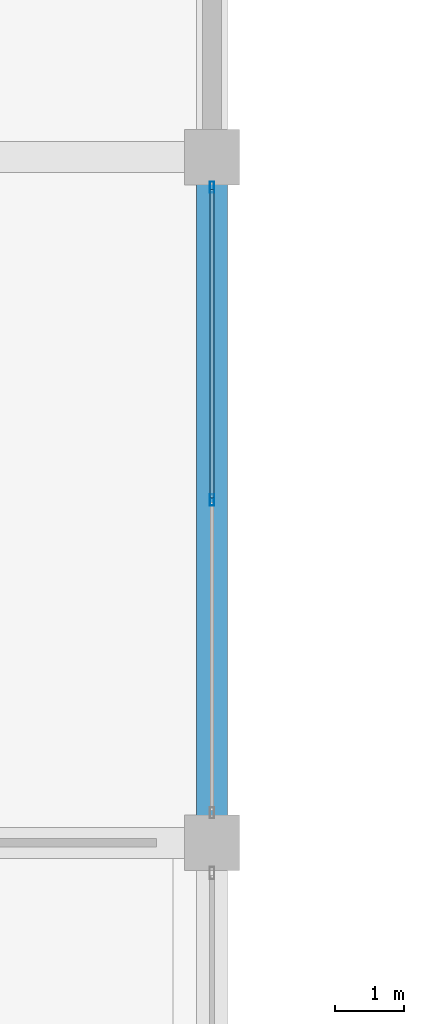
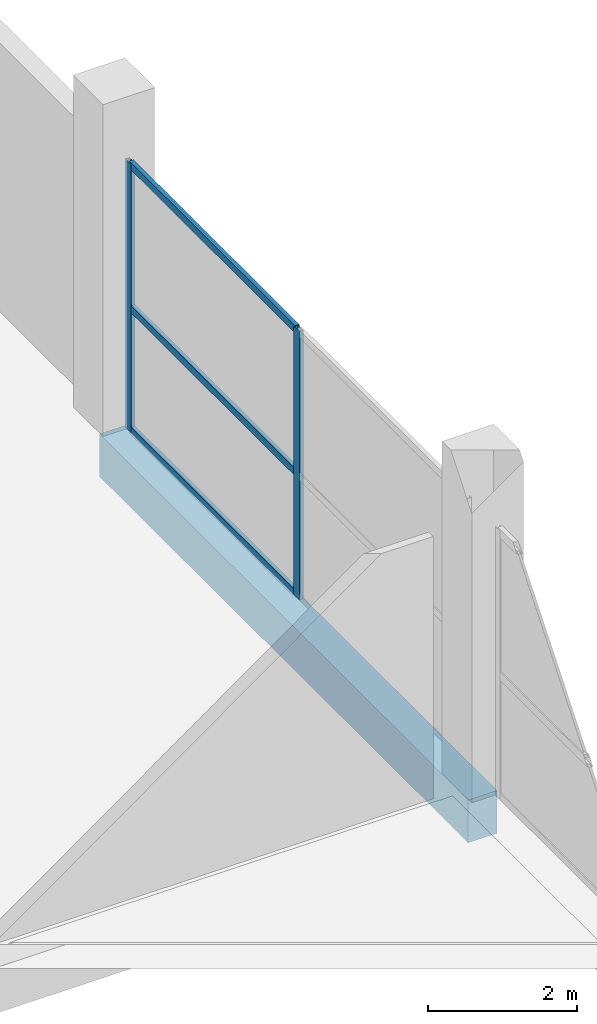
# One storey, part 32 of 74: 5 members, 1 beam, 1 element without a shape of its own.
"""IFC4 building model written with IfcOpenShell, lengths in metres."""

import ifcopenshell
import ifcopenshell.guid

model = None  # the IFC model being written
_history = None  # IfcOwnerHistory: only IFC2X3 demands one
_inside = {}  # id of a spatial element -> (the spatial element, [elements in it])
_under = {}  # id of a project, library or spatial element -> (it, [spatial elements below it])
_declared = {}  # id of a project -> (the project, [libraries it declares])
_typed = {}  # id of a type object -> (the type object, [elements of that type])
_made_of = {}  # id of a material, layer set ... -> (it, [elements and type objects made of it])


def new_model(schema):
    """Start an empty IFC model of exactly this schema.

    Asked for "IFC4X3", IfcOpenShell would pick the latest addendum, in which some entities
    have other attributes; the version numbers below select the first issue.
    IFC2X3 requires an IfcOwnerHistory on every rooted entity: one is made here for all.
    """
    global model, _history
    if schema == "IFC4X3":
        model = ifcopenshell.file(schema_version=(4, 3, 0, 0))
    else:
        model = ifcopenshell.file(schema=schema)
    _inside.clear()
    _under.clear()
    _declared.clear()
    _typed.clear()
    _made_of.clear()
    _history = None
    if model.schema == "IFC2X3":
        org = make("IfcOrganization", Name="unknown")
        user = make(
            "IfcPersonAndOrganization",
            ThePerson=make("IfcPerson", FamilyName="unknown"),
            TheOrganization=org,
        )
        app = make(
            "IfcApplication",
            ApplicationDeveloper=org,
            Version="unknown",
            ApplicationFullName="unknown",
            ApplicationIdentifier="unknown",
        )
        _history = make(
            "IfcOwnerHistory",
            OwningUser=user,
            OwningApplication=app,
            ChangeAction="ADDED",
            CreationDate=0,
        )
    return model


def make(cls, **values):
    """One entity of the class cls with the attributes given. An attribute that is None is left unset."""
    return model.create_entity(
        cls, **{name: value for name, value in values.items() if value is not None}
    )


def rooted(cls, **values):
    """An entity with a GlobalId (a new one), such as an element, a storey or a relation."""
    return make(cls, GlobalId=ifcopenshell.guid.new(), OwnerHistory=_history, **values)


def si_unit(unit_type, name, prefix=None):
    """IfcSIUnit, for example si_unit("LENGTHUNIT", "METRE", prefix="MILLI")."""
    return make("IfcSIUnit", UnitType=unit_type, Prefix=prefix, Name=name)


def assignment(units):
    """IfcUnitAssignment: the units of a project."""
    return None if units is None else make("IfcUnitAssignment", Units=units)


def point(xyz):
    """IfcCartesianPoint."""
    return None if xyz is None else make("IfcCartesianPoint", Coordinates=xyz)


def direction(xyz):
    """IfcDirection."""
    return None if xyz is None else make("IfcDirection", DirectionRatios=xyz)


def frame(location, z_axis=None, x_axis=None):
    """IfcAxis2Placement3D, a coordinate frame: its origin and axes. An axis left out is left unset."""
    return make(
        "IfcAxis2Placement3D",
        Location=point(location),
        Axis=direction(z_axis),
        RefDirection=direction(x_axis),
    )


def frame_2d(location, x_axis=None):
    """IfcAxis2Placement2D, a coordinate frame in the plane: its origin and x axis."""
    return make(
        "IfcAxis2Placement2D", Location=point(location), RefDirection=direction(x_axis)
    )


def origin():
    """The frame at (0, 0, 0) with its axes left unset."""
    return frame((0.0, 0.0, 0.0))


def origin_2d():
    """The frame at (0, 0) in the plane with its x axis left unset."""
    return frame_2d((0.0, 0.0))


def place(relative_to, where):
    """IfcLocalPlacement: puts the frame where relative to a parent placement (None: the world)."""
    return make(
        "IfcLocalPlacement", PlacementRelTo=relative_to, RelativePlacement=where
    )


def context(
    kind, dimensions, precision=None, world=None, true_north=None, identifier=None
):
    """IfcGeometricRepresentationContext, for example the 3D "Model" context."""
    return make(
        "IfcGeometricRepresentationContext",
        ContextIdentifier=identifier,
        ContextType=kind,
        CoordinateSpaceDimension=dimensions,
        Precision=precision,
        WorldCoordinateSystem=world,
        TrueNorth=true_north,
    )


def subcontext(parent, identifier, kind, view, scale=None):
    """IfcGeometricRepresentationSubContext, for example "Body" below "Model"."""
    return make(
        "IfcGeometricRepresentationSubContext",
        ContextIdentifier=identifier,
        ContextType=kind,
        ParentContext=parent,
        TargetScale=scale,
        TargetView=view,
    )


def project(units=None, contexts=None):
    """IfcProject with its units and contexts."""
    return rooted(
        "IfcProject",
        Name="project",
        RepresentationContexts=contexts,
        UnitsInContext=assignment(units),
    )


def spatial(cls, under=None, at=None, **own):
    """A site, building, storey or space (cls), placed at a placement, below another one or the project."""
    s = rooted(cls, ObjectPlacement=at, **own)
    if under is not None:
        _under.setdefault(under.id(), (under, []))[1].append(s)
    return s


def profile(cls, at=None, kind="AREA", **sizes):
    """A parametric profile (cls). Its sizes go by their IFC names, for example OverallWidth=200.0."""
    return make(cls, ProfileType=kind, Position=at, **sizes)


def rectangle(**sizes):
    """IfcRectangleProfileDef."""
    return profile("IfcRectangleProfileDef", **sizes)


def hollow_rectangle(**sizes):
    """IfcRectangleHollowProfileDef."""
    return profile("IfcRectangleHollowProfileDef", **sizes)


def extrude(swept, where, along, depth):
    """IfcExtrudedAreaSolid: the profile swept, set in the frame where, extruded along a direction by depth."""
    return make(
        "IfcExtrudedAreaSolid",
        SweptArea=swept,
        Position=where,
        ExtrudedDirection=direction(along),
        Depth=depth,
    )


def shape(context_of_items, identifier, shape_type, items):
    """IfcShapeRepresentation: the items that make up one representation, for example the "Body"."""
    return make(
        "IfcShapeRepresentation",
        ContextOfItems=context_of_items,
        RepresentationIdentifier=identifier,
        RepresentationType=shape_type,
        Items=items,
    )


def material(Name=None, Category=None):
    """IfcMaterial."""
    return make("IfcMaterial", Name=Name, Category=Category)


def layer(
    of_material, thickness, ventilated=None, Name=None, Category=None, Priority=None
):
    """IfcMaterialLayer: one layer of a wall or slab, of a material (None: an air gap)."""
    return make(
        "IfcMaterialLayer",
        Material=of_material,
        LayerThickness=thickness,
        IsVentilated=ventilated,
        Name=Name,
        Category=Category,
        Priority=Priority,
    )


def layer_set(layers, Name=None):
    """IfcMaterialLayerSet."""
    return make("IfcMaterialLayerSet", MaterialLayers=layers, LayerSetName=Name)


def material_profile(
    of_material, cross_section, Name=None, Category=None, Priority=None
):
    """IfcMaterialProfile: a cross section and its material."""
    return make(
        "IfcMaterialProfile",
        Name=Name,
        Material=of_material,
        Profile=cross_section,
        Priority=Priority,
        Category=Category,
    )


def profile_set(profiles, Name=None, composite=None):
    """IfcMaterialProfileSet."""
    return make(
        "IfcMaterialProfileSet",
        Name=Name,
        MaterialProfiles=profiles,
        CompositeProfile=composite,
    )


def made_of(thing, what):
    """Note that an element or type object is made of a material, layer set ...; save() writes the relation."""
    if what is not None:
        _made_of.setdefault(what.id(), (what, []))[1].append(thing)
    return thing


def type_object(cls, material=None, **own):
    """A type object (cls), such as IfcWallType, which elements share."""
    return made_of(rooted(cls, **own), material)


def element(
    cls,
    number,
    at=None,
    inside=None,
    cuts=None,
    type_object=None,
    material=None,
    context=None,
    identifier="Body",
    shape_type=None,
    held_by="IfcProductDefinitionShape",
    body=None,
    shapes=None,
    **own,
):
    """One element of the class cls, such as IfcWall. Its Tag is "e" and its number.

    at: its placement. inside: the storey or other place that contains it. cuts: it is an
    opening in that element (IfcRelVoidsElement). A single representation is given by context,
    identifier, shape_type and body (its items); several are given by shapes. held_by: the class
    of the entity that holds the representations. save() writes the other relations.
    """
    e = rooted(cls, Tag="e%d" % number, ObjectPlacement=at, **own)
    if body is not None:
        shapes = [shape(context, identifier, shape_type, body)]
    if shapes is not None:
        e.Representation = make(held_by, Representations=shapes)
    if inside is not None:
        _inside.setdefault(inside.id(), (inside, []))[1].append(e)
    if cuts is not None:
        rooted(
            "IfcRelVoidsElement", RelatingBuildingElement=cuts, RelatedOpeningElement=e
        )
    if type_object is not None:
        _typed.setdefault(type_object.id(), (type_object, []))[1].append(e)
    return made_of(e, material)


def aggregate(whole, parts):
    """IfcRelAggregates: a whole, such as a stair, and the parts it consists of."""
    return rooted("IfcRelAggregates", RelatingObject=whole, RelatedObjects=parts)


def save(model, path):
    """Write the relations noted so far, then the file.

    IfcRelAggregates (storeys below a building ...), IfcRelContainedInSpatialStructure (elements
    in a storey), IfcRelDefinesByType, IfcRelAssociatesMaterial and IfcRelDeclares: one each for
    every whole, place, type object, material and project.
    """
    for whole, parts in _under.values():
        aggregate(whole, parts)
    for where, things in _inside.values():
        rooted(
            "IfcRelContainedInSpatialStructure",
            RelatedElements=things,
            RelatingStructure=where,
        )
    for kind, things in _typed.values():
        rooted("IfcRelDefinesByType", RelatedObjects=things, RelatingType=kind)
    for what, things in _made_of.values():
        rooted("IfcRelAssociatesMaterial", RelatedObjects=things, RelatingMaterial=what)
    for by, libraries in _declared.values():
        rooted("IfcRelDeclares", RelatingContext=by, RelatedDefinitions=libraries)
    model.write(path)


model = new_model("IFC4")

# Units and contexts
model_context = context("Model", 3, precision=1e-05, world=origin(), true_north=direction((0.0, 1.0)))
body_context = subcontext(model_context, "Body", "Model", "MODEL_VIEW")
ifc_project = project(units=[si_unit("LENGTHUNIT", "METRE"), si_unit("AREAUNIT", "SQUARE_METRE"), si_unit("VOLUMEUNIT", "CUBIC_METRE"), si_unit("PLANEANGLEUNIT", "RADIAN"), si_unit("MASSUNIT", "GRAM", prefix="KILO")], contexts=[model_context])

# Site, building, storey
site_placement = place(None, origin())
site = spatial("IfcSite", under=ifc_project, at=site_placement, CompositionType="ELEMENT")
building_placement = place(site_placement, origin())
building = spatial("IfcBuilding", under=site, at=building_placement, Name="Sillaruma Civic Art Gallery", CompositionType="ELEMENT")
storey_placement = place(building_placement, frame((0.0, 0.0, 5.43994140625)))
storey = spatial("IfcBuildingStorey", under=building, at=storey_placement, Name="L01", CompositionType="ELEMENT", Elevation=5.43994140625)

# Beam
ifc_material_1 = material(Name="Concrete H35 (35 MPa)", Category="concrete")
ifc_material_profile_1 = material_profile(ifc_material_1, rectangle(XDim=0.449951171875, YDim=0.699951171875, at=origin_2d()), Name="RCB450x700")
ifc_profile_set_1 = profile_set([ifc_material_profile_1], Name="Concrete H35 (35 MPa)")
beam_type = type_object("IfcBeamType", Name="BM-SPANDREL-RCB450x700", PredefinedType="SPANDREL", material=ifc_profile_set_1)
beam_placement = place(storey_placement, frame((114.39990234375, 69.300048828125, -0.60986328125), z_axis=(0.0, 1.0, 0.0), x_axis=(-1.0, 0.0, 0.0)))
element("IfcBeam", 1, at=beam_placement, inside=storey, type_object=beam_type, Name="Beam BS-03 (L00:N:8-9)", PredefinedType="SPANDREL", context=body_context, shape_type="SweptSolid", body=[
    extrude(rectangle(XDim=0.449951171875, YDim=0.699951171875, at=origin_2d()), origin(), (0.0, 0.0, 1.0), 9.89990234375),
])

# Curtain wall, members
ifc_material_2 = material(Name="Thermally Broken Extruded Aluminium 6063-T6", Category="aluminium")
ifc_layer = layer(ifc_material_2, 0.159912109375, Name="Thermally Broken Extruded Aluminium 6063-T6")
ifc_layer_set = layer_set([ifc_layer], Name="Thermally Broken Extruded Aluminium 6063-T6")
curtain_wall_type = type_object("IfcCurtainWallType", Name="CW-UNI-17", PredefinedType="NOTDEFINED", material=ifc_layer_set)
curtain_wall_placement = place(storey_placement, origin())
curtain_wall = element("IfcCurtainWall", 2, at=curtain_wall_placement, inside=storey, type_object=curtain_wall_type, Name="Unitised Curtain Wall CW-17 (CW-L01-SPE-6)", PredefinedType="NOTDEFINED")
ifc_material_profile_2 = material_profile(ifc_material_2, hollow_rectangle(XDim=0.06494140625, YDim=0.159912109375, WallThickness=0.00390625, at=origin_2d()), Name="CWM65x160")
ifc_profile_set_2 = profile_set([ifc_material_profile_2], Name="Thermally Broken Extruded Aluminium 6063-T6")
member_type_1 = type_object("IfcMemberType", Name="MEM-MUL-CWM65x160", PredefinedType="MULLION", material=ifc_profile_set_2)
member_1_placement = place(storey_placement, frame((114.39990234375, 74.25, 0.0), z_axis=(0.0, 0.0, 1.0), x_axis=(-1.0, 0.0, 0.0)))
member_1 = element("IfcMember", 3, at=member_1_placement, type_object=member_type_1, Name="CW-17 mullion 2", PredefinedType="MULLION", context=body_context, shape_type="SweptSolid", body=[
    extrude(hollow_rectangle(XDim=0.06494140625, YDim=0.159912109375, WallThickness=0.00390625, at=origin_2d()), origin(), (0.0, 0.0, 1.0), 4.400146484375),
])
member_2_placement = place(storey_placement, frame((114.39990234375, 78.767578125, 0.0), z_axis=(0.0, 0.0, 1.0), x_axis=(-1.0, 0.0, 0.0)))
member_2 = element("IfcMember", 4, at=member_2_placement, type_object=member_type_1, Name="CW-17 mullion 3", PredefinedType="MULLION", context=body_context, shape_type="SweptSolid", body=[
    extrude(hollow_rectangle(XDim=0.06494140625, YDim=0.159912109375, WallThickness=0.00390625, at=origin_2d()), origin(), (0.0, 0.0, 1.0), 4.400146484375),
])
ifc_material_profile_3 = material_profile(ifc_material_2, hollow_rectangle(XDim=0.06494140625, YDim=0.1201171875, WallThickness=0.00341796875, at=origin_2d()), Name="CWT65x120")
ifc_profile_set_3 = profile_set([ifc_material_profile_3], Name="Thermally Broken Extruded Aluminium 6063-T6")
member_type_2 = type_object("IfcMemberType", Name="MEM-TRN-CWT65x120", PredefinedType="USERDEFINED", material=ifc_profile_set_3)
member_3_placement = place(storey_placement, frame((114.39990234375, 74.282470703125, 0.032470703125), z_axis=(0.0, 1.0, 0.0), x_axis=(-1.0, 0.0, 0.0)))
member_3 = element("IfcMember", 5, at=member_3_placement, type_object=member_type_2, Name="CW-17 transom 2.1", ObjectType="TRANSOM", PredefinedType="USERDEFINED", context=body_context, shape_type="SweptSolid", body=[
    extrude(hollow_rectangle(XDim=0.06494140625, YDim=0.1201171875, WallThickness=0.00341796875, at=origin_2d()), origin(), (0.0, 0.0, 1.0), 4.45263671875),
])
member_4_placement = place(storey_placement, frame((114.39990234375, 74.282470703125, 2.024169921875), z_axis=(0.0, 1.0, 0.0), x_axis=(-1.0, 0.0, 0.0)))
member_4 = element("IfcMember", 6, at=member_4_placement, type_object=member_type_2, Name="CW-17 transom 2.2", ObjectType="TRANSOM", PredefinedType="USERDEFINED", context=body_context, shape_type="SweptSolid", body=[
    extrude(hollow_rectangle(XDim=0.06494140625, YDim=0.1201171875, WallThickness=0.00341796875, at=origin_2d()), origin(), (0.0, 0.0, 1.0), 4.45263671875),
])
member_5_placement = place(storey_placement, frame((114.39990234375, 74.282470703125, 4.36767578125), z_axis=(0.0, 1.0, 0.0), x_axis=(-1.0, 0.0, 0.0)))
member_5 = element("IfcMember", 7, at=member_5_placement, type_object=member_type_2, Name="CW-17 transom 2.3", ObjectType="TRANSOM", PredefinedType="USERDEFINED", context=body_context, shape_type="SweptSolid", body=[
    extrude(hollow_rectangle(XDim=0.06494140625, YDim=0.1201171875, WallThickness=0.00341796875, at=origin_2d()), origin(), (0.0, 0.0, 1.0), 4.45263671875),
])
aggregate(curtain_wall, [member_1, member_2, member_3, member_4, member_5])

save(model, "model.ifc")
